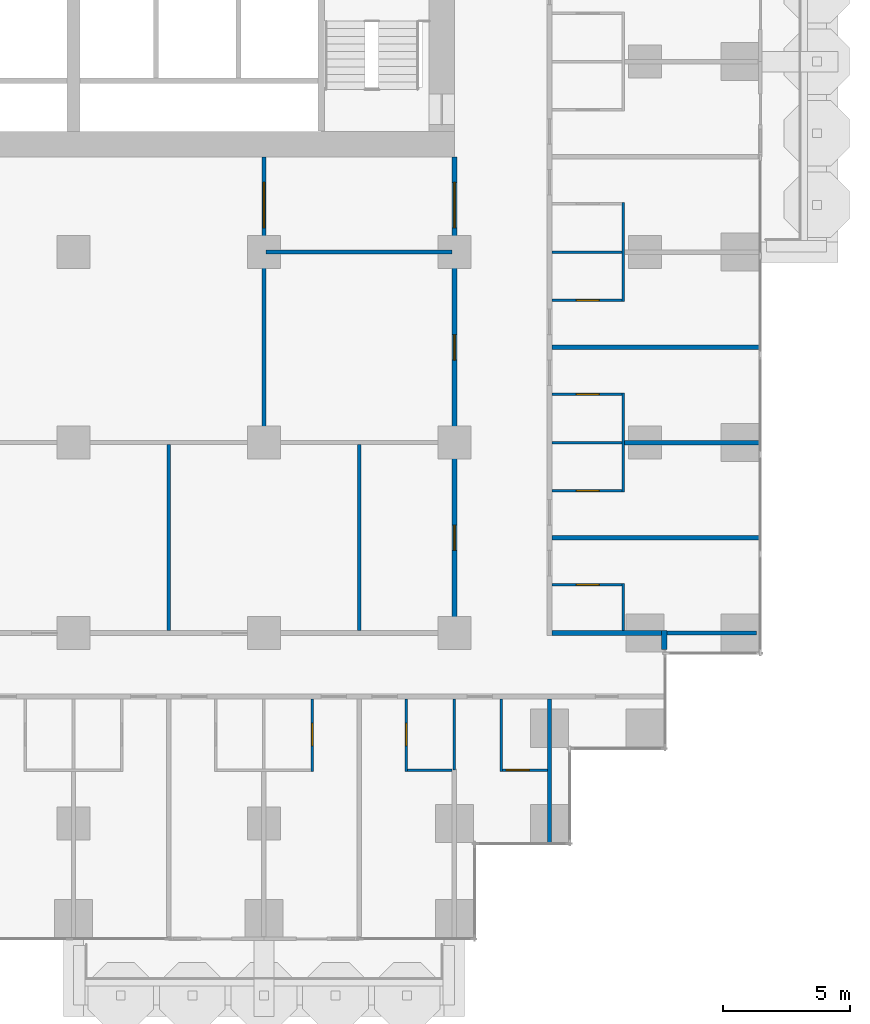
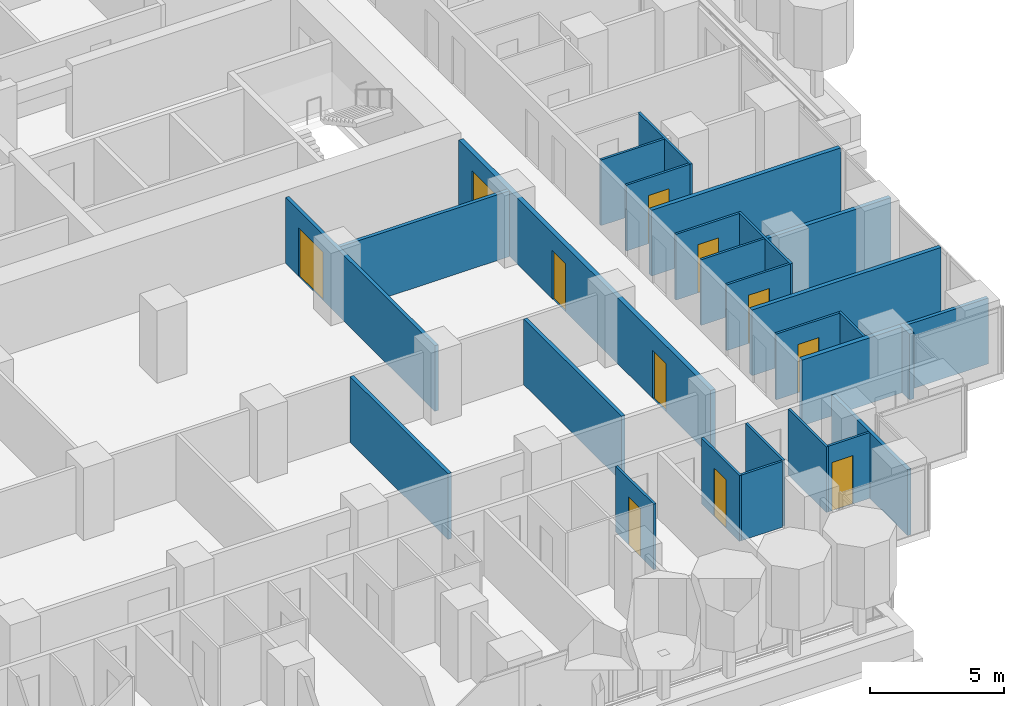
# One storey, part 13 of 20: 27 walls, 11 doors, 11 openings.
"""IFC4 building model written with IfcOpenShell, lengths in metres."""

import ifcopenshell
import ifcopenshell.guid

model = None  # the IFC model being written
_history = None  # IfcOwnerHistory: only IFC2X3 demands one
_inside = {}  # id of a spatial element -> (the spatial element, [elements in it])
_under = {}  # id of a project, library or spatial element -> (it, [spatial elements below it])
_declared = {}  # id of a project -> (the project, [libraries it declares])
_typed = {}  # id of a type object -> (the type object, [elements of that type])
_made_of = {}  # id of a material, layer set ... -> (it, [elements and type objects made of it])


def new_model(schema):
    """Start an empty IFC model of exactly this schema.

    Asked for "IFC4X3", IfcOpenShell would pick the latest addendum, in which some entities
    have other attributes; the version numbers below select the first issue.
    IFC2X3 requires an IfcOwnerHistory on every rooted entity: one is made here for all.
    """
    global model, _history
    if schema == "IFC4X3":
        model = ifcopenshell.file(schema_version=(4, 3, 0, 0))
    else:
        model = ifcopenshell.file(schema=schema)
    _inside.clear()
    _under.clear()
    _declared.clear()
    _typed.clear()
    _made_of.clear()
    _history = None
    if model.schema == "IFC2X3":
        org = make("IfcOrganization", Name="unknown")
        user = make(
            "IfcPersonAndOrganization",
            ThePerson=make("IfcPerson", FamilyName="unknown"),
            TheOrganization=org,
        )
        app = make(
            "IfcApplication",
            ApplicationDeveloper=org,
            Version="unknown",
            ApplicationFullName="unknown",
            ApplicationIdentifier="unknown",
        )
        _history = make(
            "IfcOwnerHistory",
            OwningUser=user,
            OwningApplication=app,
            ChangeAction="ADDED",
            CreationDate=0,
        )
    return model


def make(cls, **values):
    """One entity of the class cls with the attributes given. An attribute that is None is left unset."""
    return model.create_entity(
        cls, **{name: value for name, value in values.items() if value is not None}
    )


def rooted(cls, **values):
    """An entity with a GlobalId (a new one), such as an element, a storey or a relation."""
    return make(cls, GlobalId=ifcopenshell.guid.new(), OwnerHistory=_history, **values)


def si_unit(unit_type, name, prefix=None):
    """IfcSIUnit, for example si_unit("LENGTHUNIT", "METRE", prefix="MILLI")."""
    return make("IfcSIUnit", UnitType=unit_type, Prefix=prefix, Name=name)


def assignment(units):
    """IfcUnitAssignment: the units of a project."""
    return None if units is None else make("IfcUnitAssignment", Units=units)


def point(xyz):
    """IfcCartesianPoint."""
    return None if xyz is None else make("IfcCartesianPoint", Coordinates=xyz)


def direction(xyz):
    """IfcDirection."""
    return None if xyz is None else make("IfcDirection", DirectionRatios=xyz)


def frame(location, z_axis=None, x_axis=None):
    """IfcAxis2Placement3D, a coordinate frame: its origin and axes. An axis left out is left unset."""
    return make(
        "IfcAxis2Placement3D",
        Location=point(location),
        Axis=direction(z_axis),
        RefDirection=direction(x_axis),
    )


def frame_2d(location, x_axis=None):
    """IfcAxis2Placement2D, a coordinate frame in the plane: its origin and x axis."""
    return make(
        "IfcAxis2Placement2D", Location=point(location), RefDirection=direction(x_axis)
    )


def origin():
    """The frame at (0, 0, 0) with its axes left unset."""
    return frame((0.0, 0.0, 0.0))


def place(relative_to, where):
    """IfcLocalPlacement: puts the frame where relative to a parent placement (None: the world)."""
    return make(
        "IfcLocalPlacement", PlacementRelTo=relative_to, RelativePlacement=where
    )


def context(
    kind, dimensions, precision=None, world=None, true_north=None, identifier=None
):
    """IfcGeometricRepresentationContext, for example the 3D "Model" context."""
    return make(
        "IfcGeometricRepresentationContext",
        ContextIdentifier=identifier,
        ContextType=kind,
        CoordinateSpaceDimension=dimensions,
        Precision=precision,
        WorldCoordinateSystem=world,
        TrueNorth=true_north,
    )


def subcontext(parent, identifier, kind, view, scale=None):
    """IfcGeometricRepresentationSubContext, for example "Body" below "Model"."""
    return make(
        "IfcGeometricRepresentationSubContext",
        ContextIdentifier=identifier,
        ContextType=kind,
        ParentContext=parent,
        TargetScale=scale,
        TargetView=view,
    )


def project(units=None, contexts=None):
    """IfcProject with its units and contexts."""
    return rooted(
        "IfcProject",
        Name="project",
        RepresentationContexts=contexts,
        UnitsInContext=assignment(units),
    )


def spatial(cls, under=None, at=None, **own):
    """A site, building, storey or space (cls), placed at a placement, below another one or the project."""
    s = rooted(cls, ObjectPlacement=at, **own)
    if under is not None:
        _under.setdefault(under.id(), (under, []))[1].append(s)
    return s


def profile(cls, at=None, kind="AREA", **sizes):
    """A parametric profile (cls). Its sizes go by their IFC names, for example OverallWidth=200.0."""
    return make(cls, ProfileType=kind, Position=at, **sizes)


def rectangle(**sizes):
    """IfcRectangleProfileDef."""
    return profile("IfcRectangleProfileDef", **sizes)


def extrude(swept, where, along, depth):
    """IfcExtrudedAreaSolid: the profile swept, set in the frame where, extruded along a direction by depth."""
    return make(
        "IfcExtrudedAreaSolid",
        SweptArea=swept,
        Position=where,
        ExtrudedDirection=direction(along),
        Depth=depth,
    )


def shape(context_of_items, identifier, shape_type, items):
    """IfcShapeRepresentation: the items that make up one representation, for example the "Body"."""
    return make(
        "IfcShapeRepresentation",
        ContextOfItems=context_of_items,
        RepresentationIdentifier=identifier,
        RepresentationType=shape_type,
        Items=items,
    )


def material(Name=None, Category=None):
    """IfcMaterial."""
    return make("IfcMaterial", Name=Name, Category=Category)


def layer(
    of_material, thickness, ventilated=None, Name=None, Category=None, Priority=None
):
    """IfcMaterialLayer: one layer of a wall or slab, of a material (None: an air gap)."""
    return make(
        "IfcMaterialLayer",
        Material=of_material,
        LayerThickness=thickness,
        IsVentilated=ventilated,
        Name=Name,
        Category=Category,
        Priority=Priority,
    )


def layer_set(layers, Name=None):
    """IfcMaterialLayerSet."""
    return make("IfcMaterialLayerSet", MaterialLayers=layers, LayerSetName=Name)


def made_of(thing, what):
    """Note that an element or type object is made of a material, layer set ...; save() writes the relation."""
    if what is not None:
        _made_of.setdefault(what.id(), (what, []))[1].append(thing)
    return thing


def type_object(cls, material=None, **own):
    """A type object (cls), such as IfcWallType, which elements share."""
    return made_of(rooted(cls, **own), material)


def element(
    cls,
    number,
    at=None,
    inside=None,
    cuts=None,
    type_object=None,
    material=None,
    context=None,
    identifier="Body",
    shape_type=None,
    held_by="IfcProductDefinitionShape",
    body=None,
    shapes=None,
    **own,
):
    """One element of the class cls, such as IfcWall. Its Tag is "e" and its number.

    at: its placement. inside: the storey or other place that contains it. cuts: it is an
    opening in that element (IfcRelVoidsElement). A single representation is given by context,
    identifier, shape_type and body (its items); several are given by shapes. held_by: the class
    of the entity that holds the representations. save() writes the other relations.
    """
    e = rooted(cls, Tag="e%d" % number, ObjectPlacement=at, **own)
    if body is not None:
        shapes = [shape(context, identifier, shape_type, body)]
    if shapes is not None:
        e.Representation = make(held_by, Representations=shapes)
    if inside is not None:
        _inside.setdefault(inside.id(), (inside, []))[1].append(e)
    if cuts is not None:
        rooted(
            "IfcRelVoidsElement", RelatingBuildingElement=cuts, RelatedOpeningElement=e
        )
    if type_object is not None:
        _typed.setdefault(type_object.id(), (type_object, []))[1].append(e)
    return made_of(e, material)


def fill(opening, filler):
    """IfcRelFillsElement: the door or window that sits in an opening."""
    return rooted(
        "IfcRelFillsElement",
        RelatingOpeningElement=opening,
        RelatedBuildingElement=filler,
    )


def aggregate(whole, parts):
    """IfcRelAggregates: a whole, such as a stair, and the parts it consists of."""
    return rooted("IfcRelAggregates", RelatingObject=whole, RelatedObjects=parts)


def save(model, path):
    """Write the relations noted so far, then the file.

    IfcRelAggregates (storeys below a building ...), IfcRelContainedInSpatialStructure (elements
    in a storey), IfcRelDefinesByType, IfcRelAssociatesMaterial and IfcRelDeclares: one each for
    every whole, place, type object, material and project.
    """
    for whole, parts in _under.values():
        aggregate(whole, parts)
    for where, things in _inside.values():
        rooted(
            "IfcRelContainedInSpatialStructure",
            RelatedElements=things,
            RelatingStructure=where,
        )
    for kind, things in _typed.values():
        rooted("IfcRelDefinesByType", RelatedObjects=things, RelatingType=kind)
    for what, things in _made_of.values():
        rooted("IfcRelAssociatesMaterial", RelatedObjects=things, RelatingMaterial=what)
    for by, libraries in _declared.values():
        rooted("IfcRelDeclares", RelatingContext=by, RelatedDefinitions=libraries)
    model.write(path)


model = new_model("IFC4")

# Units and contexts
model_context = context("Model", 3, precision=1e-05, world=origin(), true_north=direction((0.0, 1.0)))
body_context = subcontext(model_context, "Body", "Model", "MODEL_VIEW")
ifc_project = project(units=[si_unit("LENGTHUNIT", "METRE"), si_unit("AREAUNIT", "SQUARE_METRE"), si_unit("VOLUMEUNIT", "CUBIC_METRE"), si_unit("PLANEANGLEUNIT", "RADIAN"), si_unit("MASSUNIT", "GRAM", prefix="KILO")], contexts=[model_context])

# Site, building, storey
site_placement = place(None, origin())
site = spatial("IfcSite", under=ifc_project, at=site_placement, CompositionType="ELEMENT")
building_placement = place(site_placement, origin())
building = spatial("IfcBuilding", under=site, at=building_placement, Name="Pilkhan Gate Tower", CompositionType="ELEMENT")
storey_placement = place(building_placement, frame((0.0, 0.0, 92.300048828125)))
storey = spatial("IfcBuildingStorey", under=building, at=storey_placement, Name="L22", CompositionType="ELEMENT", Elevation=92.300048828125)

# Walls
ifc_material_1 = material(Name="Dense blockwork", Category="masonry")
ifc_layer_1 = layer(ifc_material_1, 0.175048828125)
ifc_layer_set_1 = layer_set([ifc_layer_1], Name="Acoustic party wall PW175")
wall_type_1 = type_object("IfcWallType", Name="Acoustic party wall PW175", PredefinedType="PARTITIONING", material=ifc_layer_set_1)
wall_1_placement = place(storey_placement, frame((93.85009765625, 56.25, 0.0), z_axis=(0.0, 0.0, 1.0), x_axis=(1.0, 0.0, 0.0)))
element("IfcWall", 1, at=wall_1_placement, inside=storey, type_object=wall_type_1, Name="Partition L22", PredefinedType="PARTITIONING", context=body_context, shape_type="SweptSolid", body=[
    extrude(rectangle(XDim=8.164794921875, YDim=0.175048828125, at=frame_2d((4.08251953125, 0.0))), origin(), (0.0, 0.0, 1.0), 3.0),
])
wall_2_placement = place(storey_placement, frame((96.699951171875, 60.0, 0.0), z_axis=(0.0, 0.0, 1.0), x_axis=(1.0, 0.0, 0.0)))
element("IfcWall", 2, at=wall_2_placement, inside=storey, type_object=wall_type_1, Name="Partition L22", PredefinedType="PARTITIONING", context=body_context, shape_type="SweptSolid", body=[
    extrude(rectangle(XDim=5.31494140625, YDim=0.175048828125, at=frame_2d((2.657470703125, 0.0))), origin(), (0.0, 0.0, 1.0), 3.0),
])
wall_3_placement = place(storey_placement, frame((93.85009765625, 63.75, 0.0), z_axis=(0.0, 0.0, 1.0), x_axis=(1.0, 0.0, 0.0)))
element("IfcWall", 3, at=wall_3_placement, inside=storey, type_object=wall_type_1, Name="Partition L22", PredefinedType="PARTITIONING", context=body_context, shape_type="SweptSolid", body=[
    extrude(rectangle(XDim=8.164794921875, YDim=0.175048828125, at=frame_2d((4.08251953125, 0.0))), origin(), (0.0, 0.0, 1.0), 3.0),
])
ifc_layer_2 = layer(ifc_material_1, 0.199951171875)
ifc_layer_set_2 = layer_set([ifc_layer_2], Name="Corridor wall FW200")
wall_type_2 = type_object("IfcWallType", Name="Corridor wall FW200", PredefinedType="PARTITIONING", material=ifc_layer_set_2)
wall_4_placement = place(storey_placement, frame((93.85009765625, 52.5, 0.0), z_axis=(0.0, 0.0, 1.0), x_axis=(1.0, 0.0, 0.0)))
element("IfcWall", 4, at=wall_4_placement, inside=storey, type_object=wall_type_2, Name="Partition L22", PredefinedType="PARTITIONING", context=body_context, shape_type="SweptSolid", body=[
    extrude(rectangle(XDim=4.31494140625, YDim=0.199951171875, at=frame_2d((2.157470703125, 0.0))), origin(), (0.0, 0.0, 1.0), 3.0),
])

# Wall, openings, doors
wall_5_placement = place(storey_placement, frame((90.0, 52.39990234375, 0.0), z_axis=(0.0, 0.0, 1.0), x_axis=(0.0, 1.0, 0.0)))
wall_5 = element("IfcWall", 5, at=wall_5_placement, inside=storey, type_object=wall_type_2, Name="Partition L22", PredefinedType="PARTITIONING", context=body_context, shape_type="SweptSolid", body=[
    extrude(rectangle(XDim=18.840087890625, YDim=0.199951171875, at=frame_2d((9.419921875, 0.0))), origin(), (0.0, 0.0, 1.0), 3.0),
])
opening_1_placement = place(wall_5_placement, frame((3.35009765625, 0.0, 0.0)))
opening_1 = element("IfcOpeningElement", 6, at=opening_1_placement, cuts=wall_5, Name="Opening L22-63", PredefinedType="OPENING", context=body_context, shape_type="SweptSolid", body=[
    extrude(rectangle(XDim=1.0, YDim=2.199951171875, at=frame_2d((0.5, 1.10009765625))), frame((0.0, 0.10986328125, 0.0), z_axis=(0.0, -1.0, 0.0), x_axis=(1.0, 0.0, 0.0)), (0.0, 0.0, 1.0), 0.219970703125),
])
opening_2_placement = place(wall_5_placement, frame((10.85009765625, 0.0, 0.0)))
opening_2 = element("IfcOpeningElement", 7, at=opening_2_placement, cuts=wall_5, Name="Opening L22-67", PredefinedType="OPENING", context=body_context, shape_type="SweptSolid", body=[
    extrude(rectangle(XDim=1.0, YDim=2.199951171875, at=frame_2d((0.5, 1.10009765625))), frame((0.0, 0.10986328125, 0.0), z_axis=(0.0, -1.0, 0.0), x_axis=(1.0, 0.0, 0.0)), (0.0, 0.0, 1.0), 0.219970703125),
])
opening_3_placement = place(wall_5_placement, frame((16.050048828125, 0.0, 0.0)))
opening_3 = element("IfcOpeningElement", 8, at=opening_3_placement, cuts=wall_5, Name="Opening L22-68", PredefinedType="OPENING", context=body_context, shape_type="SweptSolid", body=[
    extrude(rectangle(XDim=1.800048828125, YDim=2.199951171875, at=frame_2d((0.89990234375, 1.10009765625))), frame((0.0, 0.10986328125, 0.0), z_axis=(0.0, -1.0, 0.0), x_axis=(1.0, 0.0, 0.0)), (0.0, 0.0, 1.0), 0.219970703125),
])
ifc_material_2 = material(Name="Timber glazed double door, 30 minute fire resisting", Category="wood")
door_type_1 = type_object("IfcDoorType", Name="Double door D04 1800x2200", OperationType="DOUBLE_DOOR_SINGLE_SWING", PredefinedType="DOOR", material=ifc_material_2)
door_1_placement = place(opening_3_placement, origin())
door_1 = element("IfcDoor", 9, at=door_1_placement, inside=storey, type_object=door_type_1, Name="Double door", OperationType="DOUBLE_DOOR_SINGLE_SWING", OverallHeight=2.199951171875, OverallWidth=1.800048828125, PredefinedType="DOOR", context=body_context, shape_type="SweptSolid", body=[
    extrude(rectangle(XDim=1.800048828125, YDim=2.199951171875, at=frame_2d((0.89990234375, 1.10009765625))), frame((0.0, 0.02490234375, 0.0), z_axis=(0.0, -1.0, 0.0), x_axis=(1.0, 0.0, 0.0)), (0.0, 0.0, 1.0), 0.050048828125),
])
fill(opening_3, door_1)
ifc_material_3 = material(Name="Timber flush door, 30 minute fire resisting", Category="wood")
door_type_2 = type_object("IfcDoorType", Name="Room door D03 1000x2200", OperationType="SINGLE_SWING_LEFT", PredefinedType="DOOR", material=ifc_material_3)
door_2_placement = place(opening_1_placement, origin())
door_2 = element("IfcDoor", 10, at=door_2_placement, inside=storey, type_object=door_type_2, Name="Room door", OperationType="SINGLE_SWING_RIGHT", OverallHeight=2.199951171875, OverallWidth=1.0, PredefinedType="DOOR", context=body_context, shape_type="SweptSolid", body=[
    extrude(rectangle(XDim=1.0, YDim=2.199951171875, at=frame_2d((0.5, 1.10009765625))), frame((0.0, 0.02490234375, 0.0), z_axis=(0.0, -1.0, 0.0), x_axis=(1.0, 0.0, 0.0)), (0.0, 0.0, 1.0), 0.050048828125),
])
fill(opening_1, door_2)
door_3_placement = place(opening_2_placement, origin())
door_3 = element("IfcDoor", 11, at=door_3_placement, inside=storey, type_object=door_type_2, Name="Room door", OperationType="SINGLE_SWING_LEFT", OverallHeight=2.199951171875, OverallWidth=1.0, PredefinedType="DOOR", context=body_context, shape_type="SweptSolid", body=[
    extrude(rectangle(XDim=1.0, YDim=2.199951171875, at=frame_2d((0.5, 1.10009765625))), frame((0.0, 0.02490234375, 0.0), z_axis=(0.0, -1.0, 0.0), x_axis=(1.0, 0.0, 0.0)), (0.0, 0.0, 1.0), 0.050048828125),
])
fill(opening_2, door_3)

# Walls
wall_6_placement = place(storey_placement, frame((98.264892578125, 51.85498046875, 0.0), z_axis=(0.0, 0.0, 1.0), x_axis=(0.0, 1.0, 0.0)))
element("IfcWall", 12, at=wall_6_placement, inside=storey, type_object=wall_type_2, Name="Partition L22", PredefinedType="PARTITIONING", context=body_context, shape_type="SweptSolid", body=[
    extrude(rectangle(XDim=0.7451171875, YDim=0.199951171875, at=frame_2d((0.37255859375, 0.0))), origin(), (0.0, 0.0, 1.0), 3.0),
])
ifc_material_4 = material(Name="Blockwork partition, plastered both sides", Category="masonry")
ifc_layer_3 = layer(ifc_material_4, 0.14990234375)
ifc_layer_set_3 = layer_set([ifc_layer_3], Name="Partition PW150")
wall_type_3 = type_object("IfcWallType", Name="Partition PW150", PredefinedType="PARTITIONING", material=ifc_layer_set_3)
wall_7_placement = place(storey_placement, frame((98.364990234375, 52.5, 0.0), z_axis=(0.0, 0.0, 1.0), x_axis=(1.0, 0.0, 0.0)))
element("IfcWall", 13, at=wall_7_placement, inside=storey, type_object=wall_type_3, Name="Partition L22", PredefinedType="PARTITIONING", context=body_context, shape_type="SweptSolid", body=[
    extrude(rectangle(XDim=3.530029296875, YDim=0.14990234375, at=frame_2d((1.76513671875, 0.0))), origin(), (0.0, 0.0, 1.0), 3.0),
])
for number, where, z_axis, x_axis, name in (
    (14, (82.574951171875, 67.5, 0.0), (0.0, 0.0, 1.0), (1.0, 0.0, 0.0), "Partition L22"),
    (15, (78.75, 52.60009765625, 0.0), (0.0, 0.0, 1.0), (0.0, 1.0, 0.0), "Partition L22"),
):
    element("IfcWall", number, at=place(storey_placement, frame(where, z_axis=z_axis, x_axis=x_axis)), inside=storey, type_object=wall_type_3, Name=name, PredefinedType="PARTITIONING", context=body_context, shape_type="SweptSolid", body=[
        extrude(rectangle(XDim=7.324951171875, YDim=0.14990234375, at=frame_2d((3.66259765625, 0.0))), origin(), (0.0, 0.0, 1.0), 3.0),
    ])

# Wall, opening, door
wall_8_placement = place(storey_placement, frame((82.5, 60.074951171875, 0.0), z_axis=(0.0, 0.0, 1.0), x_axis=(0.0, 1.0, 0.0)))
wall_8 = element("IfcWall", 16, at=wall_8_placement, inside=storey, type_object=wall_type_3, Name="Partition L22", PredefinedType="PARTITIONING", context=body_context, shape_type="SweptSolid", body=[
    extrude(rectangle(XDim=11.1650390625, YDim=0.14990234375, at=frame_2d((5.58251953125, 0.0))), origin(), (0.0, 0.0, 1.0), 3.0),
])
opening_4_placement = place(wall_8_placement, frame((8.375, 0.0, 0.0)))
opening_4 = element("IfcOpeningElement", 17, at=opening_4_placement, cuts=wall_8, Name="Opening L22-66", PredefinedType="OPENING", context=body_context, shape_type="SweptSolid", body=[
    extrude(rectangle(XDim=1.800048828125, YDim=2.199951171875, at=frame_2d((0.89990234375, 1.10009765625))), frame((0.0, 0.0849609375, 0.0), z_axis=(0.0, -1.0, 0.0), x_axis=(1.0, 0.0, 0.0)), (0.0, 0.0, 1.0), 0.169921875),
])
door_4_placement = place(opening_4_placement, origin())
door_4 = element("IfcDoor", 18, at=door_4_placement, inside=storey, type_object=door_type_1, Name="Double door", OperationType="DOUBLE_DOOR_SINGLE_SWING", OverallHeight=2.199951171875, OverallWidth=1.800048828125, PredefinedType="DOOR", context=body_context, shape_type="SweptSolid", body=[
    extrude(rectangle(XDim=1.800048828125, YDim=2.199951171875, at=frame_2d((0.89990234375, 1.10009765625))), frame((0.0, 0.02490234375, 0.0), z_axis=(0.0, -1.0, 0.0), x_axis=(1.0, 0.0, 0.0)), (0.0, 0.0, 1.0), 0.050048828125),
])
fill(opening_4, door_4)

# Walls
wall_9_placement = place(storey_placement, frame((86.25, 52.60009765625, 0.0), z_axis=(0.0, 0.0, 1.0), x_axis=(0.0, 1.0, 0.0)))
element("IfcWall", 19, at=wall_9_placement, inside=storey, type_object=wall_type_3, Name="Partition L22", PredefinedType="PARTITIONING", context=body_context, shape_type="SweptSolid", body=[
    extrude(rectangle(XDim=7.324951171875, YDim=0.14990234375, at=frame_2d((3.66259765625, 0.0))), origin(), (0.0, 0.0, 1.0), 3.0),
])
wall_10_placement = place(storey_placement, frame((93.75, 44.235107421875, 0.0), z_axis=(0.0, 0.0, 1.0), x_axis=(0.0, 1.0, 0.0)))
element("IfcWall", 20, at=wall_10_placement, inside=storey, type_object=wall_type_3, Name="Partition L22", PredefinedType="PARTITIONING", context=body_context, shape_type="SweptSolid", body=[
    extrude(rectangle(XDim=5.664794921875, YDim=0.14990234375, at=frame_2d((2.83251953125, 0.0))), origin(), (0.0, 0.0, 1.0), 3.0),
])
ifc_material_5 = material(Name="Moisture resistant board, tiled")
ifc_layer_4 = layer(ifc_material_5, 0.10009765625)
ifc_layer_set_4 = layer_set([ifc_layer_4], Name="Wet wall PW100")
wall_type_4 = type_object("IfcWallType", Name="Wet wall PW100", PredefinedType="PARTITIONING", material=ifc_layer_set_4)
wall_11_placement = place(storey_placement, frame((88.14990234375, 47.10009765625, 0.0), z_axis=(0.0, 0.0, 1.0), x_axis=(1.0, 0.0, 0.0)))
element("IfcWall", 21, at=wall_11_placement, inside=storey, type_object=wall_type_4, Name="Partition L22", PredefinedType="PARTITIONING", context=body_context, shape_type="SweptSolid", body=[
    extrude(rectangle(XDim=1.76220703125, YDim=0.10009765625, at=frame_2d((0.881103515625, 0.0))), origin(), (0.0, 0.0, 1.0), 3.0),
])

# Wall, opening, door
wall_12_placement = place(storey_placement, frame((91.89990234375, 47.10009765625, 0.0), z_axis=(0.0, 0.0, 1.0), x_axis=(1.0, 0.0, 0.0)))
wall_12 = element("IfcWall", 22, at=wall_12_placement, inside=storey, type_object=wall_type_4, Name="Partition L22", PredefinedType="PARTITIONING", context=body_context, shape_type="SweptSolid", body=[
    extrude(rectangle(XDim=1.775146484375, YDim=0.10009765625, at=frame_2d((0.8876953125, 0.0))), origin(), (0.0, 0.0, 1.0), 3.0),
])
opening_5_placement = place(wall_12_placement, frame((0.14990234375, 0.0, 0.0)))
opening_5 = element("IfcOpeningElement", 23, at=opening_5_placement, cuts=wall_12, Name="Opening L22-25", PredefinedType="OPENING", context=body_context, shape_type="SweptSolid", body=[
    extrude(rectangle(XDim=0.89990234375, YDim=2.199951171875, at=frame_2d((0.449951171875, 1.10009765625))), frame((0.0, 0.06005859375, 0.0), z_axis=(0.0, -1.0, 0.0), x_axis=(1.0, 0.0, 0.0)), (0.0, 0.0, 1.0), 0.1201171875),
])
ifc_material_6 = material(Name="Timber flush door", Category="wood")
door_type_3 = type_object("IfcDoorType", Name="Bathroom door D02 900x2200", OperationType="SINGLE_SWING_RIGHT", PredefinedType="DOOR", material=ifc_material_6)
door_5_placement = place(opening_5_placement, origin())
door_5 = element("IfcDoor", 24, at=door_5_placement, inside=storey, type_object=door_type_3, Name="Bathroom door", OperationType="SINGLE_SWING_RIGHT", OverallHeight=2.199951171875, OverallWidth=0.89990234375, PredefinedType="DOOR", context=body_context, shape_type="SweptSolid", body=[
    extrude(rectangle(XDim=0.89990234375, YDim=2.199951171875, at=frame_2d((0.449951171875, 1.10009765625))), frame((0.0, 0.02490234375, 0.0), z_axis=(0.0, -1.0, 0.0), x_axis=(1.0, 0.0, 0.0)), (0.0, 0.0, 1.0), 0.050048828125),
])
fill(opening_5, door_5)

wall_13_placement = place(storey_placement, frame((93.85009765625, 54.39990234375, 0.0), z_axis=(0.0, 0.0, 1.0), x_axis=(1.0, 0.0, 0.0)))
wall_13 = element("IfcWall", 25, at=wall_13_placement, inside=storey, type_object=wall_type_4, Name="Partition L22", PredefinedType="PARTITIONING", context=body_context, shape_type="SweptSolid", body=[
    extrude(rectangle(XDim=2.75, YDim=0.10009765625, at=frame_2d((1.375, 0.0))), origin(), (0.0, 0.0, 1.0), 3.0),
])
opening_6_placement = place(wall_13_placement, frame((0.949951171875, 0.0, 0.0)))
opening_6 = element("IfcOpeningElement", 26, at=opening_6_placement, cuts=wall_13, Name="Opening L22-37", PredefinedType="OPENING", context=body_context, shape_type="SweptSolid", body=[
    extrude(rectangle(XDim=0.89990234375, YDim=2.199951171875, at=frame_2d((0.449951171875, 1.10009765625))), frame((0.0, 0.06005859375, 0.0), z_axis=(0.0, -1.0, 0.0), x_axis=(1.0, 0.0, 0.0)), (0.0, 0.0, 1.0), 0.1201171875),
])
door_6_placement = place(opening_6_placement, origin())
door_6 = element("IfcDoor", 27, at=door_6_placement, inside=storey, type_object=door_type_3, Name="Bathroom door", OperationType="SINGLE_SWING_RIGHT", OverallHeight=2.199951171875, OverallWidth=0.89990234375, PredefinedType="DOOR", context=body_context, shape_type="SweptSolid", body=[
    extrude(rectangle(XDim=0.89990234375, YDim=2.199951171875, at=frame_2d((0.449951171875, 1.10009765625))), frame((0.0, 0.02490234375, 0.0), z_axis=(0.0, -1.0, 0.0), x_axis=(1.0, 0.0, 0.0)), (0.0, 0.0, 1.0), 0.050048828125),
])
fill(opening_6, door_6)

wall_14_placement = place(storey_placement, frame((93.85009765625, 58.10009765625, 0.0), z_axis=(0.0, 0.0, 1.0), x_axis=(1.0, 0.0, 0.0)))
wall_14 = element("IfcWall", 28, at=wall_14_placement, inside=storey, type_object=wall_type_4, Name="Partition L22", PredefinedType="PARTITIONING", context=body_context, shape_type="SweptSolid", body=[
    extrude(rectangle(XDim=2.75, YDim=0.10009765625, at=frame_2d((1.375, 0.0))), origin(), (0.0, 0.0, 1.0), 3.0),
])
opening_7_placement = place(wall_14_placement, frame((0.949951171875, 0.0, 0.0)))
opening_7 = element("IfcOpeningElement", 29, at=opening_7_placement, cuts=wall_14, Name="Opening L22-39", PredefinedType="OPENING", context=body_context, shape_type="SweptSolid", body=[
    extrude(rectangle(XDim=0.89990234375, YDim=2.199951171875, at=frame_2d((0.449951171875, 1.10009765625))), frame((0.0, 0.06005859375, 0.0), z_axis=(0.0, -1.0, 0.0), x_axis=(1.0, 0.0, 0.0)), (0.0, 0.0, 1.0), 0.1201171875),
])
door_7_placement = place(opening_7_placement, origin())
door_7 = element("IfcDoor", 30, at=door_7_placement, inside=storey, type_object=door_type_3, Name="Bathroom door", OperationType="SINGLE_SWING_RIGHT", OverallHeight=2.199951171875, OverallWidth=0.89990234375, PredefinedType="DOOR", context=body_context, shape_type="SweptSolid", body=[
    extrude(rectangle(XDim=0.89990234375, YDim=2.199951171875, at=frame_2d((0.449951171875, 1.10009765625))), frame((0.0, 0.02490234375, 0.0), z_axis=(0.0, -1.0, 0.0), x_axis=(1.0, 0.0, 0.0)), (0.0, 0.0, 1.0), 0.050048828125),
])
fill(opening_7, door_7)

# Wall
wall_15_placement = place(storey_placement, frame((93.85009765625, 60.0, 0.0), z_axis=(0.0, 0.0, 1.0), x_axis=(1.0, 0.0, 0.0)))
element("IfcWall", 31, at=wall_15_placement, inside=storey, type_object=wall_type_4, Name="Partition L22", PredefinedType="PARTITIONING", context=body_context, shape_type="SweptSolid", body=[
    extrude(rectangle(XDim=2.75, YDim=0.10009765625, at=frame_2d((1.375, 0.0))), origin(), (0.0, 0.0, 1.0), 3.0),
])

# Wall, opening, door
wall_16_placement = place(storey_placement, frame((93.85009765625, 61.89990234375, 0.0), z_axis=(0.0, 0.0, 1.0), x_axis=(1.0, 0.0, 0.0)))
wall_16 = element("IfcWall", 32, at=wall_16_placement, inside=storey, type_object=wall_type_4, Name="Partition L22", PredefinedType="PARTITIONING", context=body_context, shape_type="SweptSolid", body=[
    extrude(rectangle(XDim=2.75, YDim=0.10009765625, at=frame_2d((1.375, 0.0))), origin(), (0.0, 0.0, 1.0), 3.0),
])
opening_8_placement = place(wall_16_placement, frame((0.949951171875, 0.0, 0.0)))
opening_8 = element("IfcOpeningElement", 33, at=opening_8_placement, cuts=wall_16, Name="Opening L22-41", PredefinedType="OPENING", context=body_context, shape_type="SweptSolid", body=[
    extrude(rectangle(XDim=0.89990234375, YDim=2.199951171875, at=frame_2d((0.449951171875, 1.10009765625))), frame((0.0, 0.06005859375, 0.0), z_axis=(0.0, -1.0, 0.0), x_axis=(1.0, 0.0, 0.0)), (0.0, 0.0, 1.0), 0.1201171875),
])
door_8_placement = place(opening_8_placement, origin())
door_8 = element("IfcDoor", 34, at=door_8_placement, inside=storey, type_object=door_type_3, Name="Bathroom door", OperationType="SINGLE_SWING_RIGHT", OverallHeight=2.199951171875, OverallWidth=0.89990234375, PredefinedType="DOOR", context=body_context, shape_type="SweptSolid", body=[
    extrude(rectangle(XDim=0.89990234375, YDim=2.199951171875, at=frame_2d((0.449951171875, 1.10009765625))), frame((0.0, 0.02490234375, 0.0), z_axis=(0.0, -1.0, 0.0), x_axis=(1.0, 0.0, 0.0)), (0.0, 0.0, 1.0), 0.050048828125),
])
fill(opening_8, door_8)

wall_17_placement = place(storey_placement, frame((93.85009765625, 65.60009765625, 0.0), z_axis=(0.0, 0.0, 1.0), x_axis=(1.0, 0.0, 0.0)))
wall_17 = element("IfcWall", 35, at=wall_17_placement, inside=storey, type_object=wall_type_4, Name="Partition L22", PredefinedType="PARTITIONING", context=body_context, shape_type="SweptSolid", body=[
    extrude(rectangle(XDim=2.75, YDim=0.10009765625, at=frame_2d((1.375, 0.0))), origin(), (0.0, 0.0, 1.0), 3.0),
])
opening_9_placement = place(wall_17_placement, frame((0.949951171875, 0.0, 0.0)))
opening_9 = element("IfcOpeningElement", 36, at=opening_9_placement, cuts=wall_17, Name="Opening L22-43", PredefinedType="OPENING", context=body_context, shape_type="SweptSolid", body=[
    extrude(rectangle(XDim=0.89990234375, YDim=2.199951171875, at=frame_2d((0.449951171875, 1.10009765625))), frame((0.0, 0.06005859375, 0.0), z_axis=(0.0, -1.0, 0.0), x_axis=(1.0, 0.0, 0.0)), (0.0, 0.0, 1.0), 0.1201171875),
])
door_9_placement = place(opening_9_placement, origin())
door_9 = element("IfcDoor", 37, at=door_9_placement, inside=storey, type_object=door_type_3, Name="Bathroom door", OperationType="SINGLE_SWING_RIGHT", OverallHeight=2.199951171875, OverallWidth=0.89990234375, PredefinedType="DOOR", context=body_context, shape_type="SweptSolid", body=[
    extrude(rectangle(XDim=0.89990234375, YDim=2.199951171875, at=frame_2d((0.449951171875, 1.10009765625))), frame((0.0, 0.02490234375, 0.0), z_axis=(0.0, -1.0, 0.0), x_axis=(1.0, 0.0, 0.0)), (0.0, 0.0, 1.0), 0.050048828125),
])
fill(opening_9, door_9)

# Wall
wall_18_placement = place(storey_placement, frame((93.85009765625, 67.5, 0.0), z_axis=(0.0, 0.0, 1.0), x_axis=(1.0, 0.0, 0.0)))
element("IfcWall", 38, at=wall_18_placement, inside=storey, type_object=wall_type_4, Name="Partition L22", PredefinedType="PARTITIONING", context=body_context, shape_type="SweptSolid", body=[
    extrude(rectangle(XDim=2.75, YDim=0.10009765625, at=frame_2d((1.375, 0.0))), origin(), (0.0, 0.0, 1.0), 3.0),
])

# Wall, opening, door
wall_19_placement = place(storey_placement, frame((84.39990234375, 47.050048828125, 0.0), z_axis=(0.0, 0.0, 1.0), x_axis=(0.0, 1.0, 0.0)))
wall_19 = element("IfcWall", 39, at=wall_19_placement, inside=storey, type_object=wall_type_4, Name="Partition L22", PredefinedType="PARTITIONING", context=body_context, shape_type="SweptSolid", body=[
    extrude(rectangle(XDim=2.849853515625, YDim=0.10009765625, at=frame_2d((1.4248046875, 0.0))), origin(), (0.0, 0.0, 1.0), 3.0),
])
opening_10_placement = place(wall_19_placement, frame((1.0, 0.0, 0.0)))
opening_10 = element("IfcOpeningElement", 40, at=opening_10_placement, cuts=wall_19, Name="Opening L22-21", PredefinedType="OPENING", context=body_context, shape_type="SweptSolid", body=[
    extrude(rectangle(XDim=0.89990234375, YDim=2.199951171875, at=frame_2d((0.449951171875, 1.10009765625))), frame((0.0, 0.06005859375, 0.0), z_axis=(0.0, -1.0, 0.0), x_axis=(1.0, 0.0, 0.0)), (0.0, 0.0, 1.0), 0.1201171875),
])
door_10_placement = place(opening_10_placement, origin())
door_10 = element("IfcDoor", 41, at=door_10_placement, inside=storey, type_object=door_type_3, Name="Bathroom door", OperationType="SINGLE_SWING_RIGHT", OverallHeight=2.199951171875, OverallWidth=0.89990234375, PredefinedType="DOOR", context=body_context, shape_type="SweptSolid", body=[
    extrude(rectangle(XDim=0.89990234375, YDim=2.199951171875, at=frame_2d((0.449951171875, 1.10009765625))), frame((0.0, 0.02490234375, 0.0), z_axis=(0.0, -1.0, 0.0), x_axis=(1.0, 0.0, 0.0)), (0.0, 0.0, 1.0), 0.050048828125),
])
fill(opening_10, door_10)

wall_20_placement = place(storey_placement, frame((88.10009765625, 47.050048828125, 0.0), z_axis=(0.0, 0.0, 1.0), x_axis=(0.0, 1.0, 0.0)))
wall_20 = element("IfcWall", 42, at=wall_20_placement, inside=storey, type_object=wall_type_4, Name="Partition L22", PredefinedType="PARTITIONING", context=body_context, shape_type="SweptSolid", body=[
    extrude(rectangle(XDim=2.849853515625, YDim=0.10009765625, at=frame_2d((1.4248046875, 0.0))), origin(), (0.0, 0.0, 1.0), 3.0),
])
opening_11_placement = place(wall_20_placement, frame((1.0, 0.0, 0.0)))
opening_11 = element("IfcOpeningElement", 43, at=opening_11_placement, cuts=wall_20, Name="Opening L22-23", PredefinedType="OPENING", context=body_context, shape_type="SweptSolid", body=[
    extrude(rectangle(XDim=0.89990234375, YDim=2.199951171875, at=frame_2d((0.449951171875, 1.10009765625))), frame((0.0, 0.06005859375, 0.0), z_axis=(0.0, -1.0, 0.0), x_axis=(1.0, 0.0, 0.0)), (0.0, 0.0, 1.0), 0.1201171875),
])
door_11_placement = place(opening_11_placement, origin())
door_11 = element("IfcDoor", 44, at=door_11_placement, inside=storey, type_object=door_type_3, Name="Bathroom door", OperationType="SINGLE_SWING_RIGHT", OverallHeight=2.199951171875, OverallWidth=0.89990234375, PredefinedType="DOOR", context=body_context, shape_type="SweptSolid", body=[
    extrude(rectangle(XDim=0.89990234375, YDim=2.199951171875, at=frame_2d((0.449951171875, 1.10009765625))), frame((0.0, 0.02490234375, 0.0), z_axis=(0.0, -1.0, 0.0), x_axis=(1.0, 0.0, 0.0)), (0.0, 0.0, 1.0), 0.050048828125),
])
fill(opening_11, door_11)

# Walls
wall_21_placement = place(storey_placement, frame((90.0, 47.10009765625, 0.0), z_axis=(0.0, 0.0, 1.0), x_axis=(0.0, 1.0, 0.0)))
element("IfcWall", 45, at=wall_21_placement, inside=storey, type_object=wall_type_4, Name="Partition L22", PredefinedType="PARTITIONING", context=body_context, shape_type="SweptSolid", body=[
    extrude(rectangle(XDim=2.7998046875, YDim=0.10009765625, at=frame_2d((1.39990234375, 0.0))), origin(), (0.0, 0.0, 1.0), 3.0),
])
wall_22_placement = place(storey_placement, frame((91.85009765625, 47.050048828125, 0.0), z_axis=(0.0, 0.0, 1.0), x_axis=(0.0, 1.0, 0.0)))
element("IfcWall", 46, at=wall_22_placement, inside=storey, type_object=wall_type_4, Name="Partition L22", PredefinedType="PARTITIONING", context=body_context, shape_type="SweptSolid", body=[
    extrude(rectangle(XDim=2.849853515625, YDim=0.10009765625, at=frame_2d((1.4248046875, 0.0))), origin(), (0.0, 0.0, 1.0), 3.0),
])
wall_23_placement = place(storey_placement, frame((96.64990234375, 52.60009765625, 0.0), z_axis=(0.0, 0.0, 1.0), x_axis=(0.0, 1.0, 0.0)))
element("IfcWall", 47, at=wall_23_placement, inside=storey, type_object=wall_type_4, Name="Partition L22", PredefinedType="PARTITIONING", context=body_context, shape_type="SweptSolid", body=[
    extrude(rectangle(XDim=1.849853515625, YDim=0.10009765625, at=frame_2d((0.9248046875, 0.0))), origin(), (0.0, 0.0, 1.0), 3.0),
])
for number, where, z_axis, x_axis, name in (
    (48, (96.64990234375, 58.050048828125, 0.0), (0.0, 0.0, 1.0), (0.0, 1.0, 0.0), "Partition L22"),
    (49, (96.64990234375, 65.550048828125, 0.0), (0.0, 0.0, 1.0), (0.0, 1.0, 0.0), "Partition L22"),
):
    element("IfcWall", number, at=place(storey_placement, frame(where, z_axis=z_axis, x_axis=x_axis)), inside=storey, type_object=wall_type_4, Name=name, PredefinedType="PARTITIONING", context=body_context, shape_type="SweptSolid", body=[
        extrude(rectangle(XDim=3.89990234375, YDim=0.10009765625, at=frame_2d((1.949951171875, 0.0))), origin(), (0.0, 0.0, 1.0), 3.0),
    ])

save(model, "model.ifc")
